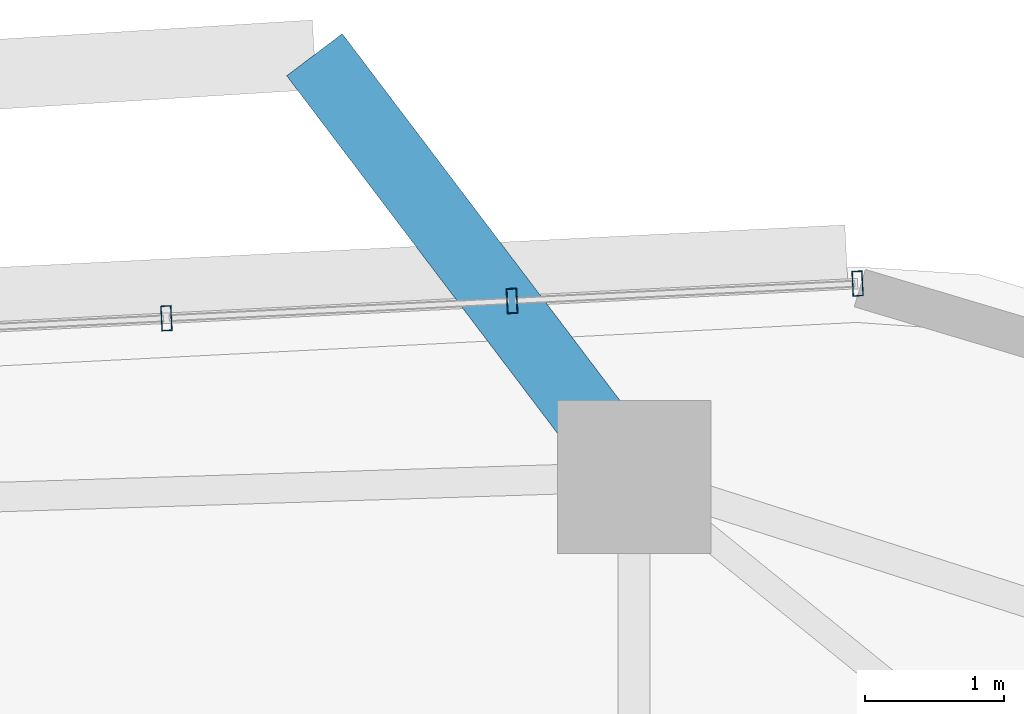
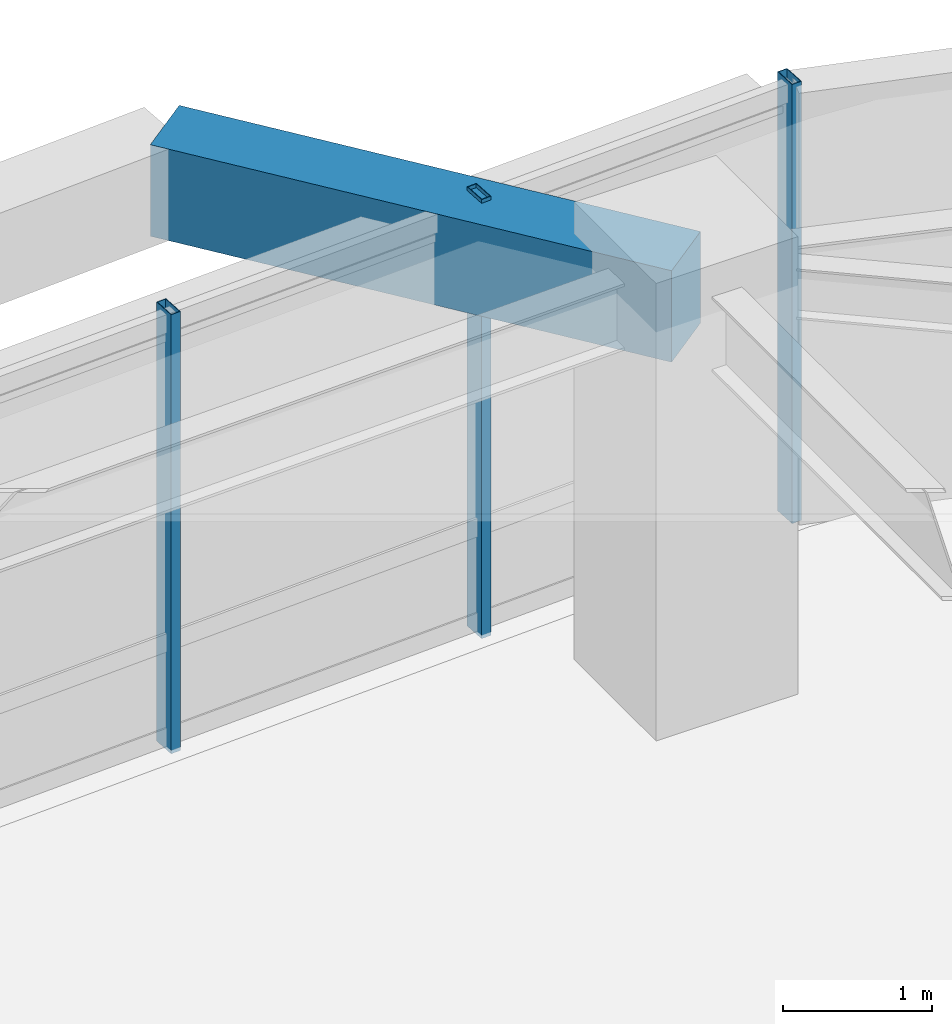
# One storey, part 6 of 14: 3 members, 1 beam, 1 element without a shape of its own.
"""IFC4 building model written with IfcOpenShell, lengths in metres."""

from ifc_helpers import new_model, si_unit, direction, frame, origin, origin_2d, place, context, subcontext, project, spatial, rectangle, hollow_rectangle, extrude, material, material_profile, profile_set, type_object, element, aggregate, save


model = new_model("IFC4")

# Units and contexts
model_context = context("Model", 3, precision=1e-05, world=origin(), true_north=direction((0.0, 1.0)))
body_context = subcontext(model_context, "Body", "Model", "MODEL_VIEW")
ifc_project = project(units=[si_unit("LENGTHUNIT", "METRE"), si_unit("AREAUNIT", "SQUARE_METRE"), si_unit("VOLUMEUNIT", "CUBIC_METRE"), si_unit("PLANEANGLEUNIT", "RADIAN"), si_unit("MASSUNIT", "GRAM", prefix="KILO")], contexts=[model_context])

# Site, building, storey
site_placement = place(None, origin())
site = spatial("IfcSite", under=ifc_project, at=site_placement, CompositionType="ELEMENT")
building_placement = place(site_placement, origin())
building = spatial("IfcBuilding", under=site, at=building_placement, Name="Zulverin Broadcast Headquarters", CompositionType="ELEMENT")
storey_placement = place(building_placement, frame((0.0, 0.0, 147.800048828125)))
storey = spatial("IfcBuildingStorey", under=building, at=storey_placement, Name="L37", CompositionType="ELEMENT", Elevation=147.800048828125)

# Beam
ifc_material_1 = material(Name="Concrete C40/50", Category="concrete")
ifc_material_profile_1 = material_profile(ifc_material_1, rectangle(XDim=0.5, YDim=0.75, at=origin_2d()), Name="Concrete C40/50", Category="concrete")
ifc_profile_set_1 = profile_set([ifc_material_profile_1], Name="Concrete C40/50")
beam_type = type_object("IfcBeamType", Name="BM-RC-500x750", PredefinedType="BEAM", material=ifc_profile_set_1)
beam_placement = place(storey_placement, frame((45.027587890625, 46.7236328125, 3.1650390625), z_axis=(-0.603735220489, 0.797184911762, 0.0), x_axis=(-0.797184911762, -0.603735220489, 0.0)))
element("IfcBeam", 1, at=beam_placement, inside=storey, type_object=beam_type, Name="L38 Balcony Column-Framed Cantilever BAL_N-1", PredefinedType="BEAM", context=body_context, shape_type="SweptSolid", body=[
    extrude(rectangle(XDim=0.5, YDim=0.75, at=origin_2d()), origin(), (0.0, 0.0, 1.0), 3.800048828125),
])

# Curtain wall, members
ifc_material_2 = material(Name="Waist wind-pressure unitised curtain wall", Category="aluminium")
curtain_wall_type = type_object("IfcCurtainWallType", Name="CW-TWR-WST", PredefinedType="USERDEFINED", material=ifc_material_2)
curtain_wall_placement = place(storey_placement, origin())
curtain_wall = element("IfcCurtainWall", 2, at=curtain_wall_placement, inside=storey, type_object=curtain_wall_type, Name="L37 Unitised Curtain Wall CW-L37-E5", ObjectType="UNITISED CURTAIN WALL", PredefinedType="USERDEFINED")
ifc_material_3 = material(Name="Anodized pale-metal aluminium alloy 6063-T6", Category="aluminium")
ifc_material_profile_2 = material_profile(ifc_material_3, hollow_rectangle(XDim=0.074951171875, YDim=0.179931640625, WallThickness=0.0048828125, at=origin_2d()), Name="Anodized pale-metal aluminium alloy 6063-T6", Category="aluminium")
ifc_profile_set_2 = profile_set([ifc_material_profile_2], Name="Anodized pale-metal aluminium alloy 6063-T6")
member_type = type_object("IfcMemberType", Name="CW-MUL-180", PredefinedType="MULLION", material=ifc_profile_set_2)
member_1_placement = place(storey_placement, frame((46.631103515625, 48.111083984375, -0.030029296875), z_axis=(0.0, 0.0, 1.0), x_axis=(-0.998743962301, -0.050104867704, 0.0)))
member_1 = element("IfcMember", 3, at=member_1_placement, type_object=member_type, Name="CW-L37-E5 Mullion 00", PredefinedType="MULLION", context=body_context, shape_type="SweptSolid", body=[
    extrude(hollow_rectangle(XDim=0.074951171875, YDim=0.179931640625, WallThickness=0.0048828125, at=origin_2d()), origin(), (0.0, 0.0, 1.0), 3.60009765625),
])
member_2_placement = place(storey_placement, frame((44.151123046875, 47.986572265625, -0.030029296875), z_axis=(0.0, 0.0, 1.0), x_axis=(-0.998743962301, -0.050104867704, 0.0)))
member_2 = element("IfcMember", 4, at=member_2_placement, type_object=member_type, Name="CW-L37-E5 Mullion 01", PredefinedType="MULLION", context=body_context, shape_type="SweptSolid", body=[
    extrude(hollow_rectangle(XDim=0.074951171875, YDim=0.179931640625, WallThickness=0.0048828125, at=origin_2d()), origin(), (0.0, 0.0, 1.0), 3.60009765625),
])
member_3_placement = place(storey_placement, frame((41.671142578125, 47.862060546875, -0.030029296875), z_axis=(0.0, 0.0, 1.0), x_axis=(-0.998743962301, -0.050104867704, 0.0)))
member_3 = element("IfcMember", 5, at=member_3_placement, type_object=member_type, Name="CW-L37-E5 Mullion 02", PredefinedType="MULLION", context=body_context, shape_type="SweptSolid", body=[
    extrude(hollow_rectangle(XDim=0.074951171875, YDim=0.179931640625, WallThickness=0.0048828125, at=origin_2d()), origin(), (0.0, 0.0, 1.0), 3.60009765625),
])
aggregate(curtain_wall, [member_1, member_2, member_3])

save(model, "model.ifc")
